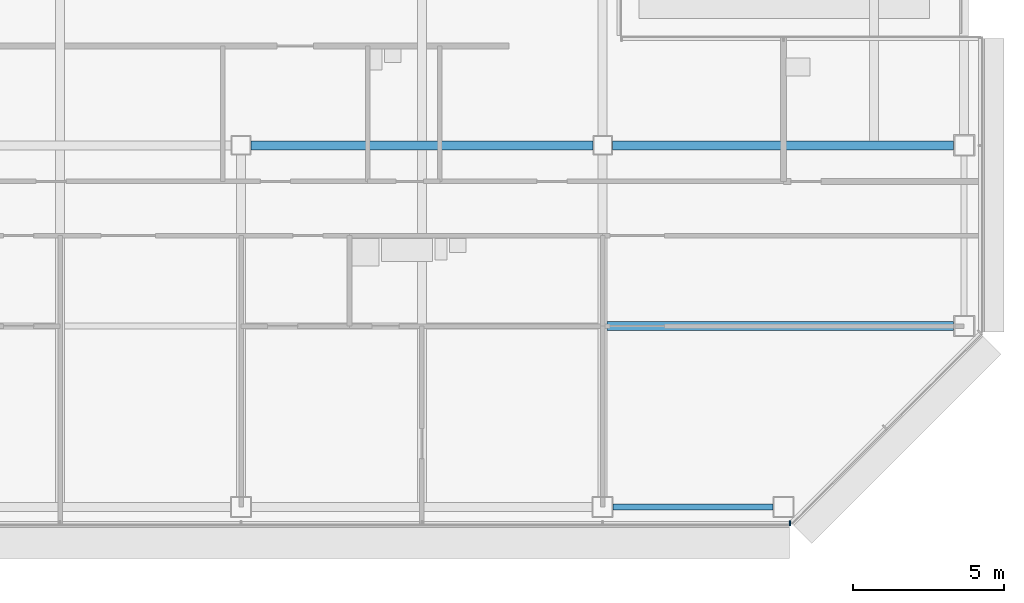
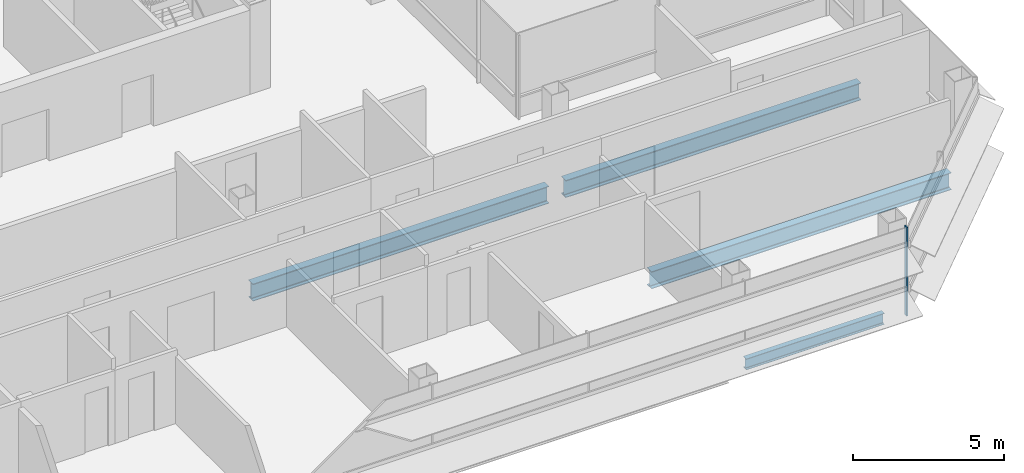
# One storey, part 9 of 27: 4 beams, 1 member, 1 element without a shape of its own.
"""IFC4 building model written with IfcOpenShell, lengths in metres."""

from ifc_helpers import new_model, si_unit, direction, frame, origin, origin_2d, place, context, subcontext, project, spatial, rectangle, i_section, extrude, material, material_profile, profile_set, type_object, element, aggregate, save


model = new_model("IFC4")

# Units and contexts
model_context = context("Model", 3, precision=1e-05, world=origin(), true_north=direction((0.0, 1.0)))
body_context = subcontext(model_context, "Body", "Model", "MODEL_VIEW")
ifc_project = project(units=[si_unit("LENGTHUNIT", "METRE"), si_unit("AREAUNIT", "SQUARE_METRE"), si_unit("VOLUMEUNIT", "CUBIC_METRE"), si_unit("PLANEANGLEUNIT", "RADIAN"), si_unit("MASSUNIT", "GRAM", prefix="KILO")], contexts=[model_context])

# Site, building, storey
site_placement = place(None, origin())
site = spatial("IfcSite", under=ifc_project, at=site_placement, CompositionType="ELEMENT")
building_placement = place(site_placement, origin())
building = spatial("IfcBuilding", under=site, at=building_placement, Name="Sorahane Residences", CompositionType="ELEMENT")
storey_placement = place(building_placement, frame((0.0, 0.0, 167.199951171875)))
storey = spatial("IfcBuildingStorey", under=building, at=storey_placement, Name="L38", CompositionType="ELEMENT", Elevation=167.199951171875)

# Curtain wall, member
ifc_material_1 = material(Name="Dark low-e glass and black anodised aluminium", Category="aluminium")
curtain_wall_type = type_object("IfcCurtainWallType", Name="Curtain wall CW-1 Typical unitised wall", PredefinedType="NOTDEFINED", material=ifc_material_1)
curtain_wall_placement = place(storey_placement, origin())
curtain_wall = element("IfcCurtainWall", 1, at=curtain_wall_placement, inside=storey, type_object=curtain_wall_type, Name="CW-1 curtain wall L38 S2", PredefinedType="NOTDEFINED")
ifc_material_2 = material(Name="Black anodised aluminium", Category="aluminium")
ifc_material_profile_1 = material_profile(ifc_material_2, rectangle(XDim=0.159912109375, YDim=0.050048828125, at=origin_2d()), Name="Curtain wall mullion CW-1 black anodised aluminium 50x160")
ifc_profile_set_1 = profile_set([ifc_material_profile_1], Name="Black anodised aluminium")
member_type = type_object("IfcMemberType", Name="Curtain wall mullion CW-1 black anodised aluminium 50x160", PredefinedType="MULLION", material=ifc_profile_set_1)
member_placement = place(storey_placement, frame((54.2236328125, -0.5400390625, -0.179931640625), z_axis=(0.0, 0.0, 1.0), x_axis=(0.0, -1.0, 0.0)))
member = element("IfcMember", 2, at=member_placement, type_object=member_type, Name="CW-1 mullion L38 S2.10", PredefinedType="MULLION", context=body_context, shape_type="SweptSolid", body=[
    extrude(rectangle(XDim=0.159912109375, YDim=0.050048828125, at=origin_2d()), origin(), (0.0, 0.0, 1.0), 3.60009765625),
])
aggregate(curtain_wall, [member])

# Beams
ifc_material_3 = material(Name="Steel Q355B", Category="steel")
ifc_material_profile_2 = material_profile(ifc_material_3, i_section(OverallWidth=0.199951171875, OverallDepth=0.449951171875, WebThickness=0.009033203125, FlangeThickness=0.013916015625, FilletRadius=0.02001953125, at=origin_2d()), Name="HN 450x200x9x14")
ifc_profile_set_2 = profile_set([ifc_material_profile_2], Name="Steel Q355B")
beam_type_1 = type_object("IfcBeamType", Name="Steel floor beam HN 450x200x9x14 Q355B", PredefinedType="BEAM", material=ifc_profile_set_2)
beam_1_placement = place(storey_placement, frame((48.35009765625, 0.0, -0.405029296875), z_axis=(1.0, 0.0, 0.0), x_axis=(0.0, 1.0, 0.0)))
element("IfcBeam", 3, at=beam_1_placement, inside=storey, type_object=beam_type_1, Name="Beam L38 004", PredefinedType="BEAM", context=body_context, shape_type="SweptSolid", body=[
    extrude(i_section(OverallWidth=0.199951171875, OverallDepth=0.449951171875, WebThickness=0.009033203125, FlangeThickness=0.013916015625, FilletRadius=0.02001953125, at=origin_2d()), origin(), (0.0, 0.0, 1.0), 5.2998046875),
])
ifc_material_4 = material(Name="Steel Q355B", Category="steel")
ifc_material_profile_3 = material_profile(ifc_material_4, i_section(OverallWidth=0.300048828125, OverallDepth=0.699951171875, WebThickness=0.012939453125, FlangeThickness=0.02392578125, FilletRadius=0.028076171875, at=origin_2d()), Name="HN 700x300x13x24")
ifc_profile_set_3 = profile_set([ifc_material_profile_3], Name="Steel Q355B")
beam_type_2 = type_object("IfcBeamType", Name="Steel floor beam HN 700x300x13x24 Q355B", PredefinedType="BEAM", material=ifc_profile_set_3)
beam_2_placement = place(storey_placement, frame((36.324951171875, 12.0, -0.530029296875), z_axis=(1.0, 0.0, 0.0), x_axis=(0.0, 1.0, 0.0)))
element("IfcBeam", 4, at=beam_2_placement, inside=storey, type_object=beam_type_2, Name="Beam L38 009", PredefinedType="BEAM", context=body_context, shape_type="SweptSolid", body=[
    extrude(i_section(OverallWidth=0.300048828125, OverallDepth=0.699951171875, WebThickness=0.012939453125, FlangeThickness=0.02392578125, FilletRadius=0.028076171875, at=origin_2d()), origin(), (0.0, 0.0, 1.0), 11.35009765625),
])
beam_3_placement = place(storey_placement, frame((48.324951171875, 12.0, -0.530029296875), z_axis=(1.0, 0.0, 0.0), x_axis=(0.0, 1.0, 0.0)))
element("IfcBeam", 5, at=beam_3_placement, inside=storey, type_object=beam_type_2, Name="Beam L38 010", PredefinedType="BEAM", context=body_context, shape_type="SweptSolid", body=[
    extrude(i_section(OverallWidth=0.300048828125, OverallDepth=0.699951171875, WebThickness=0.012939453125, FlangeThickness=0.02392578125, FilletRadius=0.028076171875, at=origin_2d()), origin(), (0.0, 0.0, 1.0), 11.324951171875),
])
beam_4_placement = place(storey_placement, frame((48.14990234375, 6.0, -0.530029296875), z_axis=(1.0, 0.0, 0.0), x_axis=(0.0, 1.0, 0.0)))
element("IfcBeam", 6, at=beam_4_placement, inside=storey, type_object=beam_type_2, Name="Beam L38 075", PredefinedType="BEAM", context=body_context, shape_type="SweptSolid", body=[
    extrude(i_section(OverallWidth=0.300048828125, OverallDepth=0.699951171875, WebThickness=0.012939453125, FlangeThickness=0.02392578125, FilletRadius=0.028076171875, at=origin_2d()), origin(), (0.0, 0.0, 1.0), 11.5),
])

save(model, "model.ifc")
